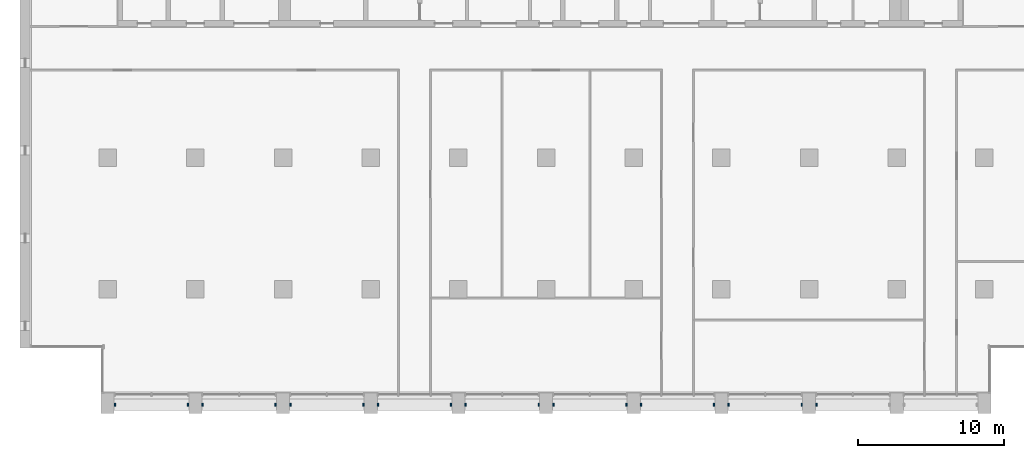
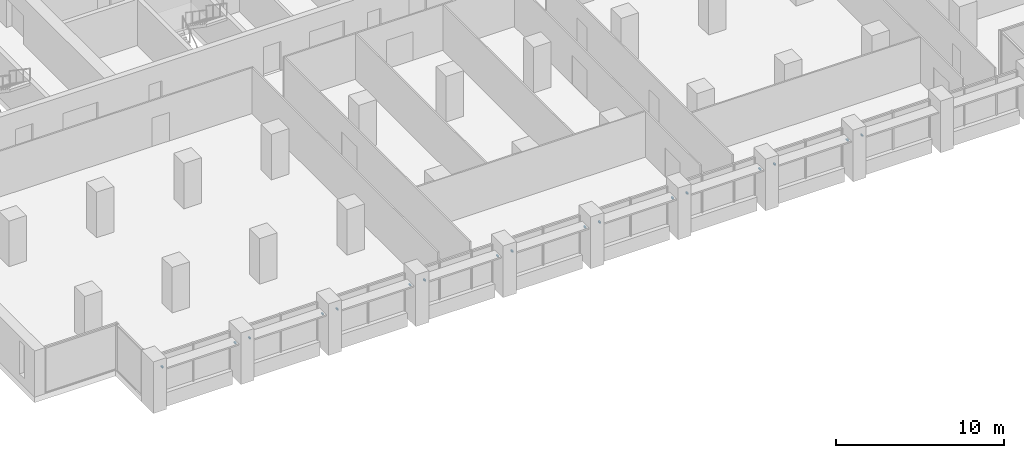
# One storey, part 13 of 15: 17 discrete accessories.
"""IFC4 building model written with IfcOpenShell, lengths in metres."""

from ifc_helpers import new_model, si_unit, direction, frame, origin, origin_2d, place, context, subcontext, project, spatial, rectangle, extrude, element, save


model = new_model("IFC4")

# Units and contexts
model_context = context("Model", 3, precision=1e-05, world=origin(), true_north=direction((0.0, 1.0)))
body_context = subcontext(model_context, "Body", "Model", "MODEL_VIEW")
ifc_project = project(units=[si_unit("LENGTHUNIT", "METRE"), si_unit("AREAUNIT", "SQUARE_METRE"), si_unit("VOLUMEUNIT", "CUBIC_METRE"), si_unit("PLANEANGLEUNIT", "RADIAN"), si_unit("MASSUNIT", "GRAM", prefix="KILO")], contexts=[model_context])

# Site, building, storey
site_placement = place(None, origin())
site = spatial("IfcSite", under=ifc_project, at=site_placement, CompositionType="ELEMENT")
building_placement = place(site_placement, origin())
building = spatial("IfcBuilding", under=site, at=building_placement, Name="Calvaro Tower", CompositionType="ELEMENT")
storey_placement = place(building_placement, frame((0.0, 0.0, 151.25)))
storey = spatial("IfcBuildingStorey", under=building, at=storey_placement, Name="L38", CompositionType="ELEMENT", Elevation=151.25)

# Discrete accessories
for number, where, z_axis, x_axis, name in (
    (1, (6.5, 2.10009765625, 2.25), (0.0, 0.0, 1.0), (1.0, 0.0, 0.0), "Brise-soleil bracket"),
    (2, (11.5, 2.10009765625, 2.25), (0.0, 0.0, 1.0), (1.0, 0.0, 0.0), "Brise-soleil bracket"),
    (3, (12.5, 2.10009765625, 2.25), (0.0, 0.0, 1.0), (1.0, 0.0, 0.0), "Brise-soleil bracket"),
    (4, (17.5, 2.10009765625, 2.25), (0.0, 0.0, 1.0), (1.0, 0.0, 0.0), "Brise-soleil bracket"),
    (5, (18.5, 2.10009765625, 2.25), (0.0, 0.0, 1.0), (1.0, 0.0, 0.0), "Brise-soleil bracket"),
    (6, (23.5, 2.10009765625, 2.25), (0.0, 0.0, 1.0), (1.0, 0.0, 0.0), "Brise-soleil bracket"),
    (7, (24.5, 2.10009765625, 2.25), (0.0, 0.0, 1.0), (1.0, 0.0, 0.0), "Brise-soleil bracket"),
    (8, (29.5, 2.10009765625, 2.25), (0.0, 0.0, 1.0), (1.0, 0.0, 0.0), "Brise-soleil bracket"),
    (9, (30.5, 2.10009765625, 2.25), (0.0, 0.0, 1.0), (1.0, 0.0, 0.0), "Brise-soleil bracket"),
    (10, (35.5, 2.10009765625, 2.25), (0.0, 0.0, 1.0), (1.0, 0.0, 0.0), "Brise-soleil bracket"),
    (11, (36.5, 2.10009765625, 2.25), (0.0, 0.0, 1.0), (1.0, 0.0, 0.0), "Brise-soleil bracket"),
    (12, (41.5, 2.10009765625, 2.25), (0.0, 0.0, 1.0), (1.0, 0.0, 0.0), "Brise-soleil bracket"),
    (13, (42.5, 2.10009765625, 2.25), (0.0, 0.0, 1.0), (1.0, 0.0, 0.0), "Brise-soleil bracket"),
    (14, (47.5, 2.10009765625, 2.25), (0.0, 0.0, 1.0), (1.0, 0.0, 0.0), "Brise-soleil bracket"),
    (15, (48.5, 2.10009765625, 2.25), (0.0, 0.0, 1.0), (1.0, 0.0, 0.0), "Brise-soleil bracket"),
    (16, (53.5, 2.10009765625, 2.25), (0.0, 0.0, 1.0), (1.0, 0.0, 0.0), "Brise-soleil bracket"),
    (17, (54.5, 2.10009765625, 2.25), (0.0, 0.0, 1.0), (1.0, 0.0, 0.0), "Brise-soleil bracket"),
):
    element("IfcDiscreteAccessory", number, at=place(storey_placement, frame(where, z_axis=z_axis, x_axis=x_axis)), inside=storey, Name=name, PredefinedType="BRACKET", context=body_context, shape_type="SweptSolid", body=[
        extrude(rectangle(XDim=0.10009765625, YDim=0.199951171875, at=origin_2d()), origin(), (0.0, 0.0, 1.0), 0.10009765625),
    ])

save(model, "model.ifc")
